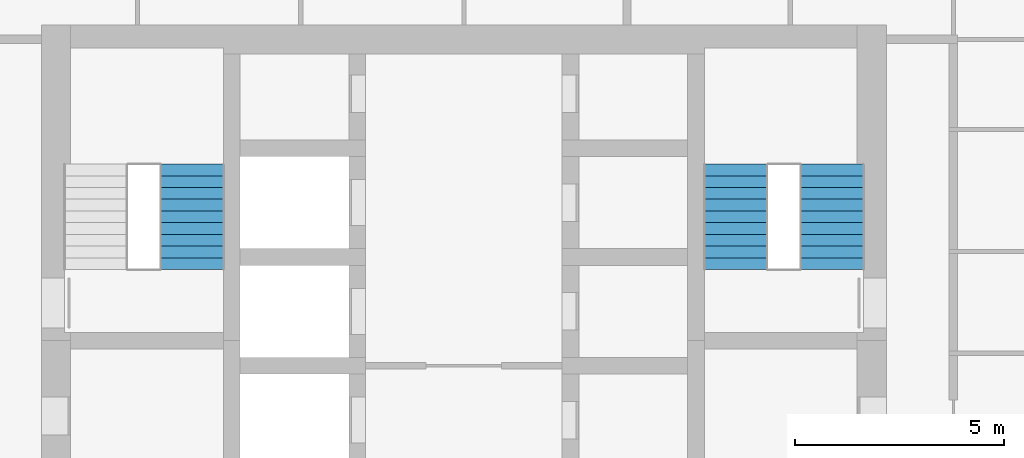
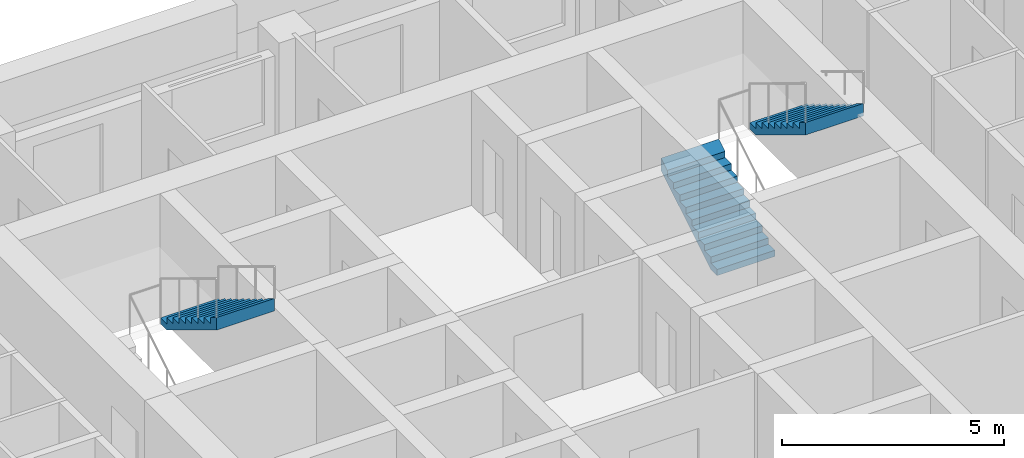
# One storey, part 15 of 17: 3 stair flights, 2 elements without a shape of their own.
"""IFC4 building model written with IfcOpenShell, lengths in metres."""

from ifc_helpers import new_model, si_unit, direction, frame, origin, place, context, subcontext, project, spatial, triangles, material, type_object, element, aggregate, save


model = new_model("IFC4")

# Units and contexts
model_context = context("Model", 3, precision=1e-05, world=origin(), true_north=direction((0.0, 1.0)))
body_context = subcontext(model_context, "Body", "Model", "MODEL_VIEW")
ifc_project = project(units=[si_unit("LENGTHUNIT", "METRE"), si_unit("AREAUNIT", "SQUARE_METRE"), si_unit("VOLUMEUNIT", "CUBIC_METRE"), si_unit("PLANEANGLEUNIT", "RADIAN"), si_unit("MASSUNIT", "GRAM", prefix="KILO")], contexts=[model_context])

# Site, building, storey
site_placement = place(None, origin())
site = spatial("IfcSite", under=ifc_project, at=site_placement, CompositionType="ELEMENT")
building_placement = place(site_placement, origin())
building = spatial("IfcBuilding", under=site, at=building_placement, Name="Ludao Terraces", CompositionType="ELEMENT")
storey_placement = place(building_placement, frame((0.0, 0.0, 85.199951171875)))
storey = spatial("IfcBuildingStorey", under=building, at=storey_placement, Name="L23", CompositionType="ELEMENT", Elevation=85.199951171875)

# Stair, stair flight
ifc_material = material(Name="Concrete C40", Category="concrete")
stair_type = type_object("IfcStairType", Name="INT Stair", PredefinedType="HALF_TURN_STAIR", material=ifc_material)
stair_1_placement = place(storey_placement, origin())
stair_1 = element("IfcStair", 1, at=stair_1_placement, inside=storey, type_object=stair_type, Name="EXIT STAIR 1", PredefinedType="HALF_TURN_STAIR")
stair_flight_type = type_object("IfcStairFlightType", Name="INT Stair flight", PredefinedType="STRAIGHT", material=ifc_material)
stair_flight_1_placement = place(storey_placement, frame((78.5, 81.52001953125, 1.699951171875), z_axis=(0.0, 0.0, 1.0), x_axis=(0.0, -1.0, 0.0)))
stair_flight_1 = element("IfcStairFlight", 2, at=stair_flight_1_placement, type_object=stair_flight_type, Name="ST1 flight 2", NumberOfRisers=10, NumberOfTreads=9, PredefinedType="STRAIGHT", RiserHeight=0.17, TreadLength=0.28, context=body_context, shape_type="Tessellation", body=[
    triangles([(0.0, -0.75, 0.0), (0.0, -0.5, 0.0), (0.0, -0.25, 0.0), (0.0, 0.0, 0.0), (0.0, 0.25, 0.0), (0.0, 0.5, 0.0), (0.0, 0.75, 0.0), (0.0, -0.75, 0.169921875), (0.0, -0.5, 0.169921875), (0.0, -0.25, 0.169921875), (0.0, 0.0, 0.169921875), (0.0, 0.25, 0.169921875), (0.0, 0.5, 0.169921875), (0.0, 0.75, 0.169921875), (0.280029296875, -0.75, 0.169921875), (0.280029296875, -0.5, 0.169921875), (0.280029296875, -0.25, 0.169921875), (0.280029296875, 0.0, 0.169921875), (0.280029296875, 0.25, 0.169921875), (0.280029296875, 0.5, 0.169921875), (0.280029296875, 0.75, 0.169921875), (0.280029296875, -0.75, 0.340087890625), (0.280029296875, -0.5, 0.340087890625), (0.280029296875, -0.25, 0.340087890625), (0.280029296875, 0.0, 0.340087890625), (0.280029296875, 0.25, 0.340087890625), (0.280029296875, 0.5, 0.340087890625), (0.280029296875, 0.75, 0.340087890625), (0.56005859375, -0.75, 0.340087890625), (0.56005859375, -0.5, 0.340087890625), (0.56005859375, -0.25, 0.340087890625), (0.56005859375, 0.0, 0.340087890625), (0.56005859375, 0.25, 0.340087890625), (0.56005859375, 0.5, 0.340087890625), (0.56005859375, 0.75, 0.340087890625), (0.56005859375, -0.75, 0.510009765625), (0.56005859375, -0.5, 0.510009765625), (0.56005859375, -0.25, 0.510009765625), (0.56005859375, 0.0, 0.510009765625), (0.56005859375, 0.25, 0.510009765625), (0.56005859375, 0.5, 0.510009765625), (0.56005859375, 0.75, 0.510009765625), (0.840087890625, -0.75, 0.510009765625), (0.840087890625, -0.5, 0.510009765625), (0.840087890625, -0.25, 0.510009765625), (0.840087890625, 0.0, 0.510009765625), (0.840087890625, 0.25, 0.510009765625), (0.840087890625, 0.5, 0.510009765625), (0.840087890625, 0.75, 0.510009765625), (0.840087890625, -0.75, 0.679931640625), (0.840087890625, -0.5, 0.679931640625), (0.840087890625, -0.25, 0.679931640625), (0.840087890625, 0.0, 0.679931640625), (0.840087890625, 0.25, 0.679931640625), (0.840087890625, 0.5, 0.679931640625), (0.840087890625, 0.75, 0.679931640625), (1.1201171875, -0.75, 0.679931640625), (1.1201171875, -0.5, 0.679931640625), (1.1201171875, -0.25, 0.679931640625), (1.1201171875, 0.0, 0.679931640625), (1.1201171875, 0.25, 0.679931640625), (1.1201171875, 0.5, 0.679931640625), (1.1201171875, 0.75, 0.679931640625), (1.1201171875, -0.75, 0.85009765625), (1.1201171875, -0.5, 0.85009765625), (1.1201171875, -0.25, 0.85009765625), (1.1201171875, 0.0, 0.85009765625), (1.1201171875, 0.25, 0.85009765625), (1.1201171875, 0.5, 0.85009765625), (1.1201171875, 0.75, 0.85009765625), (1.39990234375, -0.75, 0.85009765625), (1.39990234375, -0.5, 0.85009765625), (1.39990234375, -0.25, 0.85009765625), (1.39990234375, 0.0, 0.85009765625), (1.39990234375, 0.25, 0.85009765625), (1.39990234375, 0.5, 0.85009765625), (1.39990234375, 0.75, 0.85009765625), (1.39990234375, -0.75, 1.02001953125), (1.39990234375, -0.5, 1.02001953125), (1.39990234375, -0.25, 1.02001953125), (1.39990234375, 0.0, 1.02001953125), (1.39990234375, 0.25, 1.02001953125), (1.39990234375, 0.5, 1.02001953125), (1.39990234375, 0.75, 1.02001953125), (1.679931640625, -0.75, 1.02001953125), (1.679931640625, -0.5, 1.02001953125), (1.679931640625, -0.25, 1.02001953125), (1.679931640625, 0.0, 1.02001953125), (1.679931640625, 0.25, 1.02001953125), (1.679931640625, 0.5, 1.02001953125), (1.679931640625, 0.75, 1.02001953125), (1.679931640625, -0.75, 1.18994140625), (1.679931640625, -0.5, 1.18994140625), (1.679931640625, -0.25, 1.18994140625), (1.679931640625, 0.0, 1.18994140625), (1.679931640625, 0.25, 1.18994140625), (1.679931640625, 0.5, 1.18994140625), (1.679931640625, 0.75, 1.18994140625), (1.9599609375, -0.75, 1.18994140625), (1.9599609375, -0.5, 1.18994140625), (1.9599609375, -0.25, 1.18994140625), (1.9599609375, 0.0, 1.18994140625), (1.9599609375, 0.25, 1.18994140625), (1.9599609375, 0.5, 1.18994140625), (1.9599609375, 0.75, 1.18994140625), (1.9599609375, -0.75, 1.360107421875), (1.9599609375, -0.5, 1.360107421875), (1.9599609375, -0.25, 1.360107421875), (1.9599609375, 0.0, 1.360107421875), (1.9599609375, 0.25, 1.360107421875), (1.9599609375, 0.5, 1.360107421875), (1.9599609375, 0.75, 1.360107421875), (2.239990234375, -0.75, 1.360107421875), (2.239990234375, -0.5, 1.360107421875), (2.239990234375, -0.25, 1.360107421875), (2.239990234375, 0.0, 1.360107421875), (2.239990234375, 0.25, 1.360107421875), (2.239990234375, 0.5, 1.360107421875), (2.239990234375, 0.75, 1.360107421875), (2.239990234375, -0.75, 1.530029296875), (2.239990234375, -0.5, 1.530029296875), (2.239990234375, -0.25, 1.530029296875), (2.239990234375, 0.0, 1.530029296875), (2.239990234375, 0.25, 1.530029296875), (2.239990234375, 0.5, 1.530029296875), (2.239990234375, 0.75, 1.530029296875), (2.52001953125, -0.75, 1.699951171875), (2.52001953125, -0.5, 1.699951171875), (2.52001953125, -0.25, 1.699951171875), (2.52001953125, 0.0, 1.699951171875), (2.52001953125, 0.25, 1.699951171875), (2.52001953125, 0.5, 1.699951171875), (2.52001953125, 0.75, 1.699951171875), (2.52001953125, -0.75, 1.354736328125), (2.52001953125, -0.5, 1.354736328125), (2.52001953125, -0.25, 1.354736328125), (2.52001953125, 0.0, 1.354736328125), (2.52001953125, 0.25, 1.354736328125), (2.52001953125, 0.5, 1.354736328125), (2.52001953125, 0.75, 1.354736328125), (0.288818359375, -0.75, 0.0), (0.288818359375, -0.5, 0.0), (0.288818359375, -0.25, 0.0), (0.288818359375, 0.0, 0.0), (0.288818359375, 0.25, 0.0), (0.288818359375, 0.5, 0.0), (0.288818359375, 0.75, 0.0)], [[1, 141, 134], [7, 140, 147], [134, 127, 120], [140, 126, 133], [134, 120, 113], [140, 119, 126], [134, 113, 106], [140, 112, 119], [134, 106, 99], [140, 105, 112], [99, 92, 85], [105, 91, 98], [134, 99, 85], [140, 91, 105], [85, 78, 71], [91, 77, 84], [134, 85, 71], [140, 77, 91], [71, 64, 57], [77, 63, 70], [134, 71, 57], [140, 63, 77], [57, 50, 43], [63, 49, 56], [134, 57, 43], [140, 49, 63], [43, 36, 29], [49, 35, 42], [134, 43, 29], [140, 35, 49], [29, 22, 15], [35, 21, 28], [134, 29, 15], [140, 21, 35], [1, 134, 15], [7, 21, 140], [15, 8, 1], [21, 7, 14], [1, 9, 2], [1, 8, 9], [2, 10, 3], [2, 9, 10], [3, 11, 4], [3, 10, 11], [4, 12, 5], [4, 11, 12], [5, 13, 6], [5, 12, 13], [6, 14, 7], [6, 13, 14], [8, 16, 9], [8, 15, 16], [9, 17, 10], [9, 16, 17], [10, 18, 11], [10, 17, 18], [11, 19, 12], [11, 18, 19], [12, 20, 13], [12, 19, 20], [13, 21, 14], [13, 20, 21], [15, 23, 16], [15, 22, 23], [16, 24, 17], [16, 23, 24], [17, 25, 18], [17, 24, 25], [18, 26, 19], [18, 25, 26], [19, 27, 20], [19, 26, 27], [20, 28, 21], [20, 27, 28], [22, 30, 23], [22, 29, 30], [23, 31, 24], [23, 30, 31], [24, 32, 25], [24, 31, 32], [25, 33, 26], [25, 32, 33], [26, 34, 27], [26, 33, 34], [27, 35, 28], [27, 34, 35], [29, 37, 30], [29, 36, 37], [30, 38, 31], [30, 37, 38], [31, 39, 32], [31, 38, 39], [32, 40, 33], [32, 39, 40], [33, 41, 34], [33, 40, 41], [34, 42, 35], [34, 41, 42], [36, 44, 37], [36, 43, 44], [37, 45, 38], [37, 44, 45], [38, 46, 39], [38, 45, 46], [39, 47, 40], [39, 46, 47], [40, 48, 41], [40, 47, 48], [41, 49, 42], [41, 48, 49], [43, 51, 44], [43, 50, 51], [44, 52, 45], [44, 51, 52], [45, 53, 46], [45, 52, 53], [46, 54, 47], [46, 53, 54], [47, 55, 48], [47, 54, 55], [48, 56, 49], [48, 55, 56], [50, 58, 51], [50, 57, 58], [51, 59, 52], [51, 58, 59], [52, 60, 53], [52, 59, 60], [53, 61, 54], [53, 60, 61], [54, 62, 55], [54, 61, 62], [55, 63, 56], [55, 62, 63], [57, 65, 58], [57, 64, 65], [58, 66, 59], [58, 65, 66], [59, 67, 60], [59, 66, 67], [60, 68, 61], [60, 67, 68], [61, 69, 62], [61, 68, 69], [62, 70, 63], [62, 69, 70], [64, 72, 65], [64, 71, 72], [65, 73, 66], [65, 72, 73], [66, 74, 67], [66, 73, 74], [67, 75, 68], [67, 74, 75], [68, 76, 69], [68, 75, 76], [69, 77, 70], [69, 76, 77], [71, 79, 72], [71, 78, 79], [72, 80, 73], [72, 79, 80], [73, 81, 74], [73, 80, 81], [74, 82, 75], [74, 81, 82], [75, 83, 76], [75, 82, 83], [76, 84, 77], [76, 83, 84], [78, 86, 79], [78, 85, 86], [79, 87, 80], [79, 86, 87], [80, 88, 81], [80, 87, 88], [81, 89, 82], [81, 88, 89], [82, 90, 83], [82, 89, 90], [83, 91, 84], [83, 90, 91], [85, 93, 86], [85, 92, 93], [86, 94, 87], [86, 93, 94], [87, 95, 88], [87, 94, 95], [88, 96, 89], [88, 95, 96], [89, 97, 90], [89, 96, 97], [90, 98, 91], [90, 97, 98], [92, 100, 93], [92, 99, 100], [93, 101, 94], [93, 100, 101], [94, 102, 95], [94, 101, 102], [95, 103, 96], [95, 102, 103], [96, 104, 97], [96, 103, 104], [97, 105, 98], [97, 104, 105], [99, 107, 100], [99, 106, 107], [100, 108, 101], [100, 107, 108], [101, 109, 102], [101, 108, 109], [102, 110, 103], [102, 109, 110], [103, 111, 104], [103, 110, 111], [104, 112, 105], [104, 111, 112], [106, 114, 107], [106, 113, 114], [107, 115, 108], [107, 114, 115], [108, 116, 109], [108, 115, 116], [109, 117, 110], [109, 116, 117], [110, 118, 111], [110, 117, 118], [111, 119, 112], [111, 118, 119], [113, 121, 114], [113, 120, 121], [114, 122, 115], [114, 121, 122], [115, 123, 116], [115, 122, 123], [116, 124, 117], [116, 123, 124], [117, 125, 118], [117, 124, 125], [118, 126, 119], [118, 125, 126], [120, 128, 121], [120, 127, 128], [121, 129, 122], [121, 128, 129], [122, 130, 123], [122, 129, 130], [123, 131, 124], [123, 130, 131], [124, 132, 125], [124, 131, 132], [125, 133, 126], [125, 132, 133], [127, 135, 128], [127, 134, 135], [128, 136, 129], [128, 135, 136], [129, 137, 130], [129, 136, 137], [130, 138, 131], [130, 137, 138], [131, 139, 132], [131, 138, 139], [132, 140, 133], [132, 139, 140], [134, 142, 135], [134, 141, 142], [135, 143, 136], [135, 142, 143], [136, 144, 137], [136, 143, 144], [137, 145, 138], [137, 144, 145], [138, 146, 139], [138, 145, 146], [139, 147, 140], [139, 146, 147], [141, 2, 142], [141, 1, 2], [142, 3, 143], [142, 2, 3], [143, 4, 144], [143, 3, 4], [144, 5, 145], [144, 4, 5], [145, 6, 146], [145, 5, 6], [146, 7, 147], [146, 6, 7]], closed=True),
])
aggregate(stair_1, [stair_flight_1])

# Stair, stair flights
stair_2_placement = place(storey_placement, origin())
stair_2 = element("IfcStair", 3, at=stair_2_placement, inside=storey, type_object=stair_type, Name="EXIT STAIR 2", PredefinedType="HALF_TURN_STAIR")
stair_flight_2_placement = place(storey_placement, frame((91.5, 79.0, 0.0), z_axis=(0.0, 0.0, 1.0), x_axis=(0.0, 1.0, 0.0)))
stair_flight_2 = element("IfcStairFlight", 4, at=stair_flight_2_placement, type_object=stair_flight_type, Name="ST2 flight 1", NumberOfRisers=10, NumberOfTreads=9, PredefinedType="STRAIGHT", RiserHeight=0.17, TreadLength=0.28, context=body_context, shape_type="Tessellation", body=[
    triangles([(0.0, -0.75, 0.0), (0.0, -0.5, 0.0), (0.0, -0.25, 0.0), (0.0, 0.0, 0.0), (0.0, 0.25, 0.0), (0.0, 0.5, 0.0), (0.0, 0.75, 0.0), (0.0, -0.75, 0.169921875), (0.0, -0.5, 0.169921875), (0.0, -0.25, 0.169921875), (0.0, 0.0, 0.169921875), (0.0, 0.25, 0.169921875), (0.0, 0.5, 0.169921875), (0.0, 0.75, 0.169921875), (0.280029296875, -0.75, 0.169921875), (0.280029296875, -0.5, 0.169921875), (0.280029296875, -0.25, 0.169921875), (0.280029296875, 0.0, 0.169921875), (0.280029296875, 0.25, 0.169921875), (0.280029296875, 0.5, 0.169921875), (0.280029296875, 0.75, 0.169921875), (0.280029296875, -0.75, 0.340087890625), (0.280029296875, -0.5, 0.340087890625), (0.280029296875, -0.25, 0.340087890625), (0.280029296875, 0.0, 0.340087890625), (0.280029296875, 0.25, 0.340087890625), (0.280029296875, 0.5, 0.340087890625), (0.280029296875, 0.75, 0.340087890625), (0.56005859375, -0.75, 0.340087890625), (0.56005859375, -0.5, 0.340087890625), (0.56005859375, -0.25, 0.340087890625), (0.56005859375, 0.0, 0.340087890625), (0.56005859375, 0.25, 0.340087890625), (0.56005859375, 0.5, 0.340087890625), (0.56005859375, 0.75, 0.340087890625), (0.56005859375, -0.75, 0.510009765625), (0.56005859375, -0.5, 0.510009765625), (0.56005859375, -0.25, 0.510009765625), (0.56005859375, 0.0, 0.510009765625), (0.56005859375, 0.25, 0.510009765625), (0.56005859375, 0.5, 0.510009765625), (0.56005859375, 0.75, 0.510009765625), (0.840087890625, -0.75, 0.510009765625), (0.840087890625, -0.5, 0.510009765625), (0.840087890625, -0.25, 0.510009765625), (0.840087890625, 0.0, 0.510009765625), (0.840087890625, 0.25, 0.510009765625), (0.840087890625, 0.5, 0.510009765625), (0.840087890625, 0.75, 0.510009765625), (0.840087890625, -0.75, 0.679931640625), (0.840087890625, -0.5, 0.679931640625), (0.840087890625, -0.25, 0.679931640625), (0.840087890625, 0.0, 0.679931640625), (0.840087890625, 0.25, 0.679931640625), (0.840087890625, 0.5, 0.679931640625), (0.840087890625, 0.75, 0.679931640625), (1.1201171875, -0.75, 0.679931640625), (1.1201171875, -0.5, 0.679931640625), (1.1201171875, -0.25, 0.679931640625), (1.1201171875, 0.0, 0.679931640625), (1.1201171875, 0.25, 0.679931640625), (1.1201171875, 0.5, 0.679931640625), (1.1201171875, 0.75, 0.679931640625), (1.1201171875, -0.75, 0.85009765625), (1.1201171875, -0.5, 0.85009765625), (1.1201171875, -0.25, 0.85009765625), (1.1201171875, 0.0, 0.85009765625), (1.1201171875, 0.25, 0.85009765625), (1.1201171875, 0.5, 0.85009765625), (1.1201171875, 0.75, 0.85009765625), (1.39990234375, -0.75, 0.85009765625), (1.39990234375, -0.5, 0.85009765625), (1.39990234375, -0.25, 0.85009765625), (1.39990234375, 0.0, 0.85009765625), (1.39990234375, 0.25, 0.85009765625), (1.39990234375, 0.5, 0.85009765625), (1.39990234375, 0.75, 0.85009765625), (1.39990234375, -0.75, 1.02001953125), (1.39990234375, -0.5, 1.02001953125), (1.39990234375, -0.25, 1.02001953125), (1.39990234375, 0.0, 1.02001953125), (1.39990234375, 0.25, 1.02001953125), (1.39990234375, 0.5, 1.02001953125), (1.39990234375, 0.75, 1.02001953125), (1.679931640625, -0.75, 1.02001953125), (1.679931640625, -0.5, 1.02001953125), (1.679931640625, -0.25, 1.02001953125), (1.679931640625, 0.0, 1.02001953125), (1.679931640625, 0.25, 1.02001953125), (1.679931640625, 0.5, 1.02001953125), (1.679931640625, 0.75, 1.02001953125), (1.679931640625, -0.75, 1.18994140625), (1.679931640625, -0.5, 1.18994140625), (1.679931640625, -0.25, 1.18994140625), (1.679931640625, 0.0, 1.18994140625), (1.679931640625, 0.25, 1.18994140625), (1.679931640625, 0.5, 1.18994140625), (1.679931640625, 0.75, 1.18994140625), (1.9599609375, -0.75, 1.18994140625), (1.9599609375, -0.5, 1.18994140625), (1.9599609375, -0.25, 1.18994140625), (1.9599609375, 0.0, 1.18994140625), (1.9599609375, 0.25, 1.18994140625), (1.9599609375, 0.5, 1.18994140625), (1.9599609375, 0.75, 1.18994140625), (1.9599609375, -0.75, 1.360107421875), (1.9599609375, -0.5, 1.360107421875), (1.9599609375, -0.25, 1.360107421875), (1.9599609375, 0.0, 1.360107421875), (1.9599609375, 0.25, 1.360107421875), (1.9599609375, 0.5, 1.360107421875), (1.9599609375, 0.75, 1.360107421875), (2.239990234375, -0.75, 1.360107421875), (2.239990234375, -0.5, 1.360107421875), (2.239990234375, -0.25, 1.360107421875), (2.239990234375, 0.0, 1.360107421875), (2.239990234375, 0.25, 1.360107421875), (2.239990234375, 0.5, 1.360107421875), (2.239990234375, 0.75, 1.360107421875), (2.239990234375, -0.75, 1.530029296875), (2.239990234375, -0.5, 1.530029296875), (2.239990234375, -0.25, 1.530029296875), (2.239990234375, 0.0, 1.530029296875), (2.239990234375, 0.25, 1.530029296875), (2.239990234375, 0.5, 1.530029296875), (2.239990234375, 0.75, 1.530029296875), (2.52001953125, -0.75, 1.699951171875), (2.52001953125, -0.5, 1.699951171875), (2.52001953125, -0.25, 1.699951171875), (2.52001953125, 0.0, 1.699951171875), (2.52001953125, 0.25, 1.699951171875), (2.52001953125, 0.5, 1.699951171875), (2.52001953125, 0.75, 1.699951171875), (2.52001953125, -0.75, 1.354736328125), (2.52001953125, -0.5, 1.354736328125), (2.52001953125, -0.25, 1.354736328125), (2.52001953125, 0.0, 1.354736328125), (2.52001953125, 0.25, 1.354736328125), (2.52001953125, 0.5, 1.354736328125), (2.52001953125, 0.75, 1.354736328125), (0.288818359375, -0.75, 0.0), (0.288818359375, -0.5, 0.0), (0.288818359375, -0.25, 0.0), (0.288818359375, 0.0, 0.0), (0.288818359375, 0.25, 0.0), (0.288818359375, 0.5, 0.0), (0.288818359375, 0.75, 0.0)], [[1, 141, 134], [7, 140, 147], [134, 127, 120], [140, 126, 133], [134, 120, 113], [140, 119, 126], [134, 113, 106], [140, 112, 119], [134, 106, 99], [140, 105, 112], [99, 92, 85], [105, 91, 98], [134, 99, 85], [140, 91, 105], [85, 78, 71], [91, 77, 84], [134, 85, 71], [140, 77, 91], [71, 64, 57], [77, 63, 70], [134, 71, 57], [140, 63, 77], [57, 50, 43], [63, 49, 56], [134, 57, 43], [140, 49, 63], [43, 36, 29], [49, 35, 42], [134, 43, 29], [140, 35, 49], [29, 22, 15], [35, 21, 28], [134, 29, 15], [140, 21, 35], [1, 134, 15], [7, 21, 140], [15, 8, 1], [21, 7, 14], [1, 9, 2], [1, 8, 9], [2, 10, 3], [2, 9, 10], [3, 11, 4], [3, 10, 11], [4, 12, 5], [4, 11, 12], [5, 13, 6], [5, 12, 13], [6, 14, 7], [6, 13, 14], [8, 16, 9], [8, 15, 16], [9, 17, 10], [9, 16, 17], [10, 18, 11], [10, 17, 18], [11, 19, 12], [11, 18, 19], [12, 20, 13], [12, 19, 20], [13, 21, 14], [13, 20, 21], [15, 23, 16], [15, 22, 23], [16, 24, 17], [16, 23, 24], [17, 25, 18], [17, 24, 25], [18, 26, 19], [18, 25, 26], [19, 27, 20], [19, 26, 27], [20, 28, 21], [20, 27, 28], [22, 30, 23], [22, 29, 30], [23, 31, 24], [23, 30, 31], [24, 32, 25], [24, 31, 32], [25, 33, 26], [25, 32, 33], [26, 34, 27], [26, 33, 34], [27, 35, 28], [27, 34, 35], [29, 37, 30], [29, 36, 37], [30, 38, 31], [30, 37, 38], [31, 39, 32], [31, 38, 39], [32, 40, 33], [32, 39, 40], [33, 41, 34], [33, 40, 41], [34, 42, 35], [34, 41, 42], [36, 44, 37], [36, 43, 44], [37, 45, 38], [37, 44, 45], [38, 46, 39], [38, 45, 46], [39, 47, 40], [39, 46, 47], [40, 48, 41], [40, 47, 48], [41, 49, 42], [41, 48, 49], [43, 51, 44], [43, 50, 51], [44, 52, 45], [44, 51, 52], [45, 53, 46], [45, 52, 53], [46, 54, 47], [46, 53, 54], [47, 55, 48], [47, 54, 55], [48, 56, 49], [48, 55, 56], [50, 58, 51], [50, 57, 58], [51, 59, 52], [51, 58, 59], [52, 60, 53], [52, 59, 60], [53, 61, 54], [53, 60, 61], [54, 62, 55], [54, 61, 62], [55, 63, 56], [55, 62, 63], [57, 65, 58], [57, 64, 65], [58, 66, 59], [58, 65, 66], [59, 67, 60], [59, 66, 67], [60, 68, 61], [60, 67, 68], [61, 69, 62], [61, 68, 69], [62, 70, 63], [62, 69, 70], [64, 72, 65], [64, 71, 72], [65, 73, 66], [65, 72, 73], [66, 74, 67], [66, 73, 74], [67, 75, 68], [67, 74, 75], [68, 76, 69], [68, 75, 76], [69, 77, 70], [69, 76, 77], [71, 79, 72], [71, 78, 79], [72, 80, 73], [72, 79, 80], [73, 81, 74], [73, 80, 81], [74, 82, 75], [74, 81, 82], [75, 83, 76], [75, 82, 83], [76, 84, 77], [76, 83, 84], [78, 86, 79], [78, 85, 86], [79, 87, 80], [79, 86, 87], [80, 88, 81], [80, 87, 88], [81, 89, 82], [81, 88, 89], [82, 90, 83], [82, 89, 90], [83, 91, 84], [83, 90, 91], [85, 93, 86], [85, 92, 93], [86, 94, 87], [86, 93, 94], [87, 95, 88], [87, 94, 95], [88, 96, 89], [88, 95, 96], [89, 97, 90], [89, 96, 97], [90, 98, 91], [90, 97, 98], [92, 100, 93], [92, 99, 100], [93, 101, 94], [93, 100, 101], [94, 102, 95], [94, 101, 102], [95, 103, 96], [95, 102, 103], [96, 104, 97], [96, 103, 104], [97, 105, 98], [97, 104, 105], [99, 107, 100], [99, 106, 107], [100, 108, 101], [100, 107, 108], [101, 109, 102], [101, 108, 109], [102, 110, 103], [102, 109, 110], [103, 111, 104], [103, 110, 111], [104, 112, 105], [104, 111, 112], [106, 114, 107], [106, 113, 114], [107, 115, 108], [107, 114, 115], [108, 116, 109], [108, 115, 116], [109, 117, 110], [109, 116, 117], [110, 118, 111], [110, 117, 118], [111, 119, 112], [111, 118, 119], [113, 121, 114], [113, 120, 121], [114, 122, 115], [114, 121, 122], [115, 123, 116], [115, 122, 123], [116, 124, 117], [116, 123, 124], [117, 125, 118], [117, 124, 125], [118, 126, 119], [118, 125, 126], [120, 128, 121], [120, 127, 128], [121, 129, 122], [121, 128, 129], [122, 130, 123], [122, 129, 130], [123, 131, 124], [123, 130, 131], [124, 132, 125], [124, 131, 132], [125, 133, 126], [125, 132, 133], [127, 135, 128], [127, 134, 135], [128, 136, 129], [128, 135, 136], [129, 137, 130], [129, 136, 137], [130, 138, 131], [130, 137, 138], [131, 139, 132], [131, 138, 139], [132, 140, 133], [132, 139, 140], [134, 142, 135], [134, 141, 142], [135, 143, 136], [135, 142, 143], [136, 144, 137], [136, 143, 144], [137, 145, 138], [137, 144, 145], [138, 146, 139], [138, 145, 146], [139, 147, 140], [139, 146, 147], [141, 2, 142], [141, 1, 2], [142, 3, 143], [142, 2, 3], [143, 4, 144], [143, 3, 4], [144, 5, 145], [144, 4, 5], [145, 6, 146], [145, 5, 6], [146, 7, 147], [146, 6, 7]], closed=True),
])
stair_flight_3_placement = place(storey_placement, frame((93.800048828125, 81.52001953125, 1.699951171875), z_axis=(0.0, 0.0, 1.0), x_axis=(0.0, -1.0, 0.0)))
stair_flight_3 = element("IfcStairFlight", 5, at=stair_flight_3_placement, type_object=stair_flight_type, Name="ST2 flight 2", NumberOfRisers=10, NumberOfTreads=9, PredefinedType="STRAIGHT", RiserHeight=0.17, TreadLength=0.28, context=body_context, shape_type="Tessellation", body=[
    triangles([(0.0, -0.75, 0.0), (0.0, -0.5, 0.0), (0.0, -0.25, 0.0), (0.0, 0.0, 0.0), (0.0, 0.25, 0.0), (0.0, 0.5, 0.0), (0.0, 0.75, 0.0), (0.0, -0.75, 0.169921875), (0.0, -0.5, 0.169921875), (0.0, -0.25, 0.169921875), (0.0, 0.0, 0.169921875), (0.0, 0.25, 0.169921875), (0.0, 0.5, 0.169921875), (0.0, 0.75, 0.169921875), (0.280029296875, -0.75, 0.169921875), (0.280029296875, -0.5, 0.169921875), (0.280029296875, -0.25, 0.169921875), (0.280029296875, 0.0, 0.169921875), (0.280029296875, 0.25, 0.169921875), (0.280029296875, 0.5, 0.169921875), (0.280029296875, 0.75, 0.169921875), (0.280029296875, -0.75, 0.340087890625), (0.280029296875, -0.5, 0.340087890625), (0.280029296875, -0.25, 0.340087890625), (0.280029296875, 0.0, 0.340087890625), (0.280029296875, 0.25, 0.340087890625), (0.280029296875, 0.5, 0.340087890625), (0.280029296875, 0.75, 0.340087890625), (0.56005859375, -0.75, 0.340087890625), (0.56005859375, -0.5, 0.340087890625), (0.56005859375, -0.25, 0.340087890625), (0.56005859375, 0.0, 0.340087890625), (0.56005859375, 0.25, 0.340087890625), (0.56005859375, 0.5, 0.340087890625), (0.56005859375, 0.75, 0.340087890625), (0.56005859375, -0.75, 0.510009765625), (0.56005859375, -0.5, 0.510009765625), (0.56005859375, -0.25, 0.510009765625), (0.56005859375, 0.0, 0.510009765625), (0.56005859375, 0.25, 0.510009765625), (0.56005859375, 0.5, 0.510009765625), (0.56005859375, 0.75, 0.510009765625), (0.840087890625, -0.75, 0.510009765625), (0.840087890625, -0.5, 0.510009765625), (0.840087890625, -0.25, 0.510009765625), (0.840087890625, 0.0, 0.510009765625), (0.840087890625, 0.25, 0.510009765625), (0.840087890625, 0.5, 0.510009765625), (0.840087890625, 0.75, 0.510009765625), (0.840087890625, -0.75, 0.679931640625), (0.840087890625, -0.5, 0.679931640625), (0.840087890625, -0.25, 0.679931640625), (0.840087890625, 0.0, 0.679931640625), (0.840087890625, 0.25, 0.679931640625), (0.840087890625, 0.5, 0.679931640625), (0.840087890625, 0.75, 0.679931640625), (1.1201171875, -0.75, 0.679931640625), (1.1201171875, -0.5, 0.679931640625), (1.1201171875, -0.25, 0.679931640625), (1.1201171875, 0.0, 0.679931640625), (1.1201171875, 0.25, 0.679931640625), (1.1201171875, 0.5, 0.679931640625), (1.1201171875, 0.75, 0.679931640625), (1.1201171875, -0.75, 0.85009765625), (1.1201171875, -0.5, 0.85009765625), (1.1201171875, -0.25, 0.85009765625), (1.1201171875, 0.0, 0.85009765625), (1.1201171875, 0.25, 0.85009765625), (1.1201171875, 0.5, 0.85009765625), (1.1201171875, 0.75, 0.85009765625), (1.39990234375, -0.75, 0.85009765625), (1.39990234375, -0.5, 0.85009765625), (1.39990234375, -0.25, 0.85009765625), (1.39990234375, 0.0, 0.85009765625), (1.39990234375, 0.25, 0.85009765625), (1.39990234375, 0.5, 0.85009765625), (1.39990234375, 0.75, 0.85009765625), (1.39990234375, -0.75, 1.02001953125), (1.39990234375, -0.5, 1.02001953125), (1.39990234375, -0.25, 1.02001953125), (1.39990234375, 0.0, 1.02001953125), (1.39990234375, 0.25, 1.02001953125), (1.39990234375, 0.5, 1.02001953125), (1.39990234375, 0.75, 1.02001953125), (1.679931640625, -0.75, 1.02001953125), (1.679931640625, -0.5, 1.02001953125), (1.679931640625, -0.25, 1.02001953125), (1.679931640625, 0.0, 1.02001953125), (1.679931640625, 0.25, 1.02001953125), (1.679931640625, 0.5, 1.02001953125), (1.679931640625, 0.75, 1.02001953125), (1.679931640625, -0.75, 1.18994140625), (1.679931640625, -0.5, 1.18994140625), (1.679931640625, -0.25, 1.18994140625), (1.679931640625, 0.0, 1.18994140625), (1.679931640625, 0.25, 1.18994140625), (1.679931640625, 0.5, 1.18994140625), (1.679931640625, 0.75, 1.18994140625), (1.9599609375, -0.75, 1.18994140625), (1.9599609375, -0.5, 1.18994140625), (1.9599609375, -0.25, 1.18994140625), (1.9599609375, 0.0, 1.18994140625), (1.9599609375, 0.25, 1.18994140625), (1.9599609375, 0.5, 1.18994140625), (1.9599609375, 0.75, 1.18994140625), (1.9599609375, -0.75, 1.360107421875), (1.9599609375, -0.5, 1.360107421875), (1.9599609375, -0.25, 1.360107421875), (1.9599609375, 0.0, 1.360107421875), (1.9599609375, 0.25, 1.360107421875), (1.9599609375, 0.5, 1.360107421875), (1.9599609375, 0.75, 1.360107421875), (2.239990234375, -0.75, 1.360107421875), (2.239990234375, -0.5, 1.360107421875), (2.239990234375, -0.25, 1.360107421875), (2.239990234375, 0.0, 1.360107421875), (2.239990234375, 0.25, 1.360107421875), (2.239990234375, 0.5, 1.360107421875), (2.239990234375, 0.75, 1.360107421875), (2.239990234375, -0.75, 1.530029296875), (2.239990234375, -0.5, 1.530029296875), (2.239990234375, -0.25, 1.530029296875), (2.239990234375, 0.0, 1.530029296875), (2.239990234375, 0.25, 1.530029296875), (2.239990234375, 0.5, 1.530029296875), (2.239990234375, 0.75, 1.530029296875), (2.52001953125, -0.75, 1.699951171875), (2.52001953125, -0.5, 1.699951171875), (2.52001953125, -0.25, 1.699951171875), (2.52001953125, 0.0, 1.699951171875), (2.52001953125, 0.25, 1.699951171875), (2.52001953125, 0.5, 1.699951171875), (2.52001953125, 0.75, 1.699951171875), (2.52001953125, -0.75, 1.354736328125), (2.52001953125, -0.5, 1.354736328125), (2.52001953125, -0.25, 1.354736328125), (2.52001953125, 0.0, 1.354736328125), (2.52001953125, 0.25, 1.354736328125), (2.52001953125, 0.5, 1.354736328125), (2.52001953125, 0.75, 1.354736328125), (0.288818359375, -0.75, 0.0), (0.288818359375, -0.5, 0.0), (0.288818359375, -0.25, 0.0), (0.288818359375, 0.0, 0.0), (0.288818359375, 0.25, 0.0), (0.288818359375, 0.5, 0.0), (0.288818359375, 0.75, 0.0)], [[1, 141, 134], [7, 140, 147], [134, 127, 120], [140, 126, 133], [134, 120, 113], [140, 119, 126], [134, 113, 106], [140, 112, 119], [134, 106, 99], [140, 105, 112], [99, 92, 85], [105, 91, 98], [134, 99, 85], [140, 91, 105], [85, 78, 71], [91, 77, 84], [134, 85, 71], [140, 77, 91], [71, 64, 57], [77, 63, 70], [134, 71, 57], [140, 63, 77], [57, 50, 43], [63, 49, 56], [134, 57, 43], [140, 49, 63], [43, 36, 29], [49, 35, 42], [134, 43, 29], [140, 35, 49], [29, 22, 15], [35, 21, 28], [134, 29, 15], [140, 21, 35], [1, 134, 15], [7, 21, 140], [15, 8, 1], [21, 7, 14], [1, 9, 2], [1, 8, 9], [2, 10, 3], [2, 9, 10], [3, 11, 4], [3, 10, 11], [4, 12, 5], [4, 11, 12], [5, 13, 6], [5, 12, 13], [6, 14, 7], [6, 13, 14], [8, 16, 9], [8, 15, 16], [9, 17, 10], [9, 16, 17], [10, 18, 11], [10, 17, 18], [11, 19, 12], [11, 18, 19], [12, 20, 13], [12, 19, 20], [13, 21, 14], [13, 20, 21], [15, 23, 16], [15, 22, 23], [16, 24, 17], [16, 23, 24], [17, 25, 18], [17, 24, 25], [18, 26, 19], [18, 25, 26], [19, 27, 20], [19, 26, 27], [20, 28, 21], [20, 27, 28], [22, 30, 23], [22, 29, 30], [23, 31, 24], [23, 30, 31], [24, 32, 25], [24, 31, 32], [25, 33, 26], [25, 32, 33], [26, 34, 27], [26, 33, 34], [27, 35, 28], [27, 34, 35], [29, 37, 30], [29, 36, 37], [30, 38, 31], [30, 37, 38], [31, 39, 32], [31, 38, 39], [32, 40, 33], [32, 39, 40], [33, 41, 34], [33, 40, 41], [34, 42, 35], [34, 41, 42], [36, 44, 37], [36, 43, 44], [37, 45, 38], [37, 44, 45], [38, 46, 39], [38, 45, 46], [39, 47, 40], [39, 46, 47], [40, 48, 41], [40, 47, 48], [41, 49, 42], [41, 48, 49], [43, 51, 44], [43, 50, 51], [44, 52, 45], [44, 51, 52], [45, 53, 46], [45, 52, 53], [46, 54, 47], [46, 53, 54], [47, 55, 48], [47, 54, 55], [48, 56, 49], [48, 55, 56], [50, 58, 51], [50, 57, 58], [51, 59, 52], [51, 58, 59], [52, 60, 53], [52, 59, 60], [53, 61, 54], [53, 60, 61], [54, 62, 55], [54, 61, 62], [55, 63, 56], [55, 62, 63], [57, 65, 58], [57, 64, 65], [58, 66, 59], [58, 65, 66], [59, 67, 60], [59, 66, 67], [60, 68, 61], [60, 67, 68], [61, 69, 62], [61, 68, 69], [62, 70, 63], [62, 69, 70], [64, 72, 65], [64, 71, 72], [65, 73, 66], [65, 72, 73], [66, 74, 67], [66, 73, 74], [67, 75, 68], [67, 74, 75], [68, 76, 69], [68, 75, 76], [69, 77, 70], [69, 76, 77], [71, 79, 72], [71, 78, 79], [72, 80, 73], [72, 79, 80], [73, 81, 74], [73, 80, 81], [74, 82, 75], [74, 81, 82], [75, 83, 76], [75, 82, 83], [76, 84, 77], [76, 83, 84], [78, 86, 79], [78, 85, 86], [79, 87, 80], [79, 86, 87], [80, 88, 81], [80, 87, 88], [81, 89, 82], [81, 88, 89], [82, 90, 83], [82, 89, 90], [83, 91, 84], [83, 90, 91], [85, 93, 86], [85, 92, 93], [86, 94, 87], [86, 93, 94], [87, 95, 88], [87, 94, 95], [88, 96, 89], [88, 95, 96], [89, 97, 90], [89, 96, 97], [90, 98, 91], [90, 97, 98], [92, 100, 93], [92, 99, 100], [93, 101, 94], [93, 100, 101], [94, 102, 95], [94, 101, 102], [95, 103, 96], [95, 102, 103], [96, 104, 97], [96, 103, 104], [97, 105, 98], [97, 104, 105], [99, 107, 100], [99, 106, 107], [100, 108, 101], [100, 107, 108], [101, 109, 102], [101, 108, 109], [102, 110, 103], [102, 109, 110], [103, 111, 104], [103, 110, 111], [104, 112, 105], [104, 111, 112], [106, 114, 107], [106, 113, 114], [107, 115, 108], [107, 114, 115], [108, 116, 109], [108, 115, 116], [109, 117, 110], [109, 116, 117], [110, 118, 111], [110, 117, 118], [111, 119, 112], [111, 118, 119], [113, 121, 114], [113, 120, 121], [114, 122, 115], [114, 121, 122], [115, 123, 116], [115, 122, 123], [116, 124, 117], [116, 123, 124], [117, 125, 118], [117, 124, 125], [118, 126, 119], [118, 125, 126], [120, 128, 121], [120, 127, 128], [121, 129, 122], [121, 128, 129], [122, 130, 123], [122, 129, 130], [123, 131, 124], [123, 130, 131], [124, 132, 125], [124, 131, 132], [125, 133, 126], [125, 132, 133], [127, 135, 128], [127, 134, 135], [128, 136, 129], [128, 135, 136], [129, 137, 130], [129, 136, 137], [130, 138, 131], [130, 137, 138], [131, 139, 132], [131, 138, 139], [132, 140, 133], [132, 139, 140], [134, 142, 135], [134, 141, 142], [135, 143, 136], [135, 142, 143], [136, 144, 137], [136, 143, 144], [137, 145, 138], [137, 144, 145], [138, 146, 139], [138, 145, 146], [139, 147, 140], [139, 146, 147], [141, 2, 142], [141, 1, 2], [142, 3, 143], [142, 2, 3], [143, 4, 144], [143, 3, 4], [144, 5, 145], [144, 4, 5], [145, 6, 146], [145, 5, 6], [146, 7, 147], [146, 6, 7]], closed=True),
])
aggregate(stair_2, [stair_flight_2, stair_flight_3])

save(model, "model.ifc")
